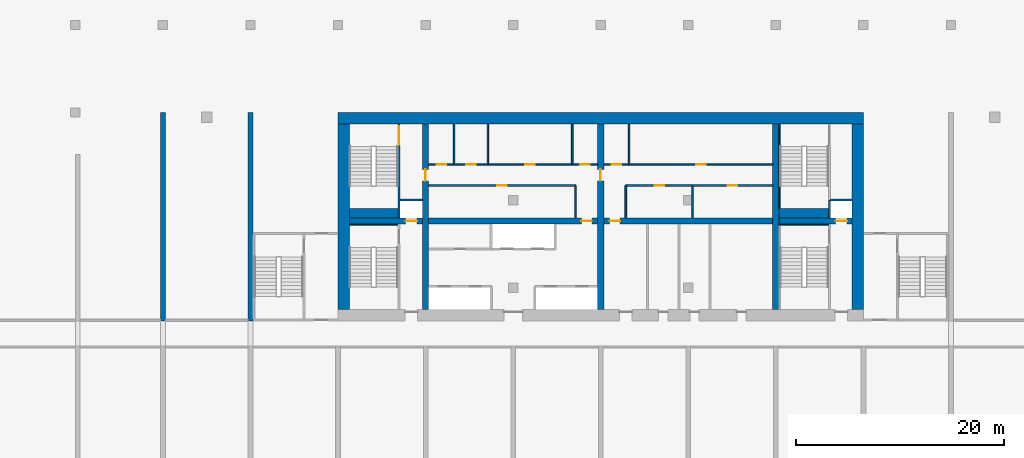
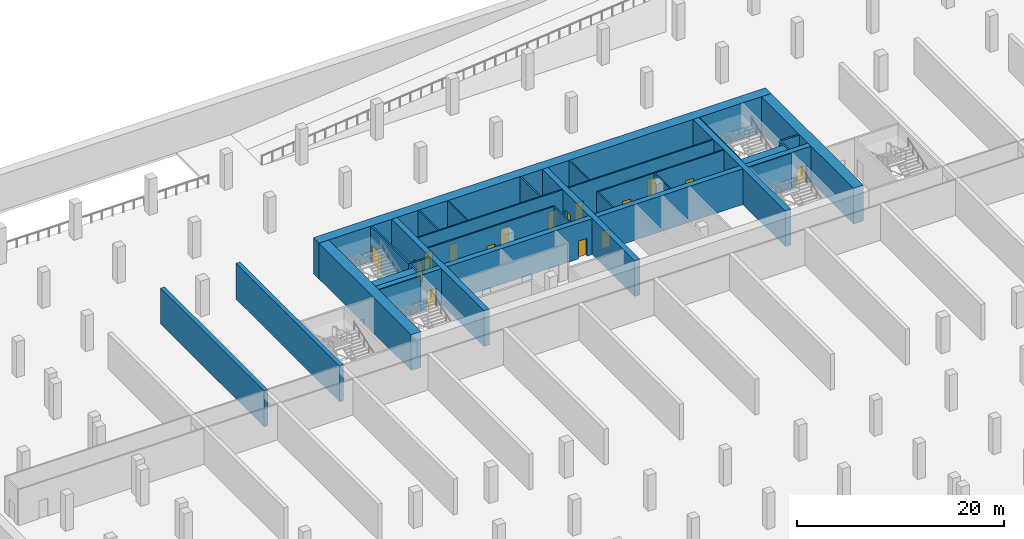
# One storey, part 7 of 13: 33 walls, 16 doors, 16 openings.
"""IFC4 building model written with IfcOpenShell, lengths in metres."""

from ifc_helpers import new_model, si_unit, direction, frame, frame_2d, origin, place, context, subcontext, project, spatial, rectangle, extrude, source, transform, mapped, material, layer, layer_set, type_object, element, fill, save


model = new_model("IFC4")

# Units and contexts
model_context = context("Model", 3, precision=1e-05, world=origin(), true_north=direction((0.0, 1.0)))
body_context = subcontext(model_context, "Body", "Model", "MODEL_VIEW")
ifc_project = project(units=[si_unit("LENGTHUNIT", "METRE"), si_unit("AREAUNIT", "SQUARE_METRE"), si_unit("VOLUMEUNIT", "CUBIC_METRE"), si_unit("PLANEANGLEUNIT", "RADIAN"), si_unit("MASSUNIT", "GRAM", prefix="KILO")], contexts=[model_context])

# Site, building, storey
site_placement = place(None, origin())
site = spatial("IfcSite", under=ifc_project, at=site_placement, CompositionType="ELEMENT")
building_placement = place(site_placement, origin())
building = spatial("IfcBuilding", under=site, at=building_placement, Name="Vanashikhar Sky Hotel", CompositionType="ELEMENT")
storey_placement = place(building_placement, frame((0.0, 0.0, -9.0)))
storey = spatial("IfcBuildingStorey", under=building, at=storey_placement, Name="B2", CompositionType="ELEMENT", Elevation=-9.0)

# Walls
ifc_material_1 = material(Name="Concrete M80", Category="concrete")
ifc_layer_1 = layer(ifc_material_1, 1.10009765625)
ifc_layer_set_1 = layer_set([ifc_layer_1], Name="RC core shell wall 1100 Concrete M80")
wall_type_1 = type_object("IfcWallType", Name="RC core shell wall 1100 Concrete M80", PredefinedType="SHEAR", material=ifc_layer_set_1)
shared_shape_1 = source(origin(), body_context, "Body", "SweptSolid", [
    extrude(rectangle(XDim=50.400146484375, YDim=1.10009765625, at=frame_2d((25.2001953125, 0.0))), origin(), (0.0, 0.0, 1.0), 4.219970703125),
])
wall_1_placement = place(storey_placement, frame((25.199951171875, 41.449951171875, 0.0), z_axis=(0.0, 0.0, 1.0), x_axis=(1.0, 0.0, 0.0)))
element("IfcWall", 1, at=wall_1_placement, inside=storey, type_object=wall_type_1, Name="KW-B2-KN", PredefinedType="SHEAR", context=body_context, shape_type="MappedRepresentation", body=[
    mapped(shared_shape_1, transform((0.0, 0.0, 0.0), scale=1.0)),
])
shared_shape_2 = source(origin(), body_context, "Body", "SweptSolid", [
    extrude(rectangle(XDim=17.7998046875, YDim=1.10009765625, at=frame_2d((8.89990234375, 0.0))), origin(), (0.0, 0.0, 1.0), 4.219970703125),
])
for number, where, z_axis, x_axis, name in (
    (2, (25.75, 23.10009765625, 0.0), (0.0, 0.0, 1.0), (0.0, 1.0, 0.0), "KW-B2-KW"),
    (3, (75.050048828125, 23.10009765625, 0.0), (0.0, 0.0, 1.0), (0.0, 1.0, 0.0), "KW-B2-KE"),
):
    element("IfcWall", number, at=place(storey_placement, frame(where, z_axis=z_axis, x_axis=x_axis)), inside=storey, type_object=wall_type_1, Name=name, PredefinedType="SHEAR", context=body_context, shape_type="MappedRepresentation", body=[
        mapped(shared_shape_2, transform((0.0, 0.0, 0.0), scale=1.0)),
    ])

# Wall, opening, door
ifc_layer_2 = layer(ifc_material_1, 0.60009765625)
ifc_layer_set_2 = layer_set([ifc_layer_2], Name="RC core inner wall 600 Concrete M80")
wall_type_2 = type_object("IfcWallType", Name="RC core inner wall 600 Concrete M80", PredefinedType="SHEAR", material=ifc_layer_set_2)
shared_shape_3 = source(origin(), body_context, "Body", "SweptSolid", [
    extrude(rectangle(XDim=17.7998046875, YDim=0.60009765625, at=frame_2d((8.89990234375, 0.0))), origin(), (0.0, 0.0, 1.0), 4.219970703125),
])
wall_2_placement = place(storey_placement, frame((33.60009765625, 23.10009765625, 0.0), z_axis=(0.0, 0.0, 1.0), x_axis=(0.0, 1.0, 0.0)))
wall_2 = element("IfcWall", 4, at=wall_2_placement, inside=storey, type_object=wall_type_2, Name="KW-B2-KX1", PredefinedType="SHEAR", context=body_context, shape_type="MappedRepresentation", body=[
    mapped(shared_shape_3, transform((0.0, 0.0, 0.0), scale=1.0)),
])
shared_shape_4 = source(origin(), body_context, "Body", "SweptSolid", [
    extrude(rectangle(XDim=1.10009765625, YDim=2.10009765625, at=frame_2d((0.550048828125, 1.050048828125))), frame((0.0, 0.31005859375, 0.0), z_axis=(0.0, -1.0, 0.0), x_axis=(1.0, 0.0, 0.0)), (0.0, 0.0, 1.0), 0.6201171875),
])
opening_1_placement = place(wall_2_placement, frame((12.35009765625, 0.0, 0.0)))
opening_1 = element("IfcOpeningElement", 5, at=opening_1_placement, cuts=wall_2, Name="Opening DC-4-C", PredefinedType="OPENING", context=body_context, shape_type="MappedRepresentation", body=[
    mapped(shared_shape_4, transform((0.0, 0.0, 0.0), scale=1.0)),
])
ifc_material_2 = material(Name="Steel", Category="steel")
door_type_1 = type_object("IfcDoorType", Name="Service door 1100 FD60", OperationType="NOTDEFINED", PredefinedType="DOOR", material=ifc_material_2)
shared_shape_5 = source(origin(), body_context, "Body", "SweptSolid", [
    extrude(rectangle(XDim=1.10009765625, YDim=2.10009765625, at=frame_2d((0.550048828125, 1.050048828125))), frame((0.0, 0.02490234375, 0.0), z_axis=(0.0, -1.0, 0.0), x_axis=(1.0, 0.0, 0.0)), (0.0, 0.0, 1.0), 0.050048828125),
])
door_1_placement = place(opening_1_placement, origin())
door_1 = element("IfcDoor", 6, at=door_1_placement, inside=storey, type_object=door_type_1, Name="Service door 1100 FD60", OperationType="SINGLE_SWING_RIGHT", OverallHeight=2.10009765625, OverallWidth=1.10009765625, PredefinedType="DOOR", context=body_context, shape_type="MappedRepresentation", body=[
    mapped(shared_shape_5, transform((0.0, 0.0, 0.0), scale=1.0)),
])
fill(opening_1, door_1)

wall_3_placement = place(storey_placement, frame((50.39990234375, 23.10009765625, 0.0), z_axis=(0.0, 0.0, 1.0), x_axis=(0.0, 1.0, 0.0)))
wall_3 = element("IfcWall", 7, at=wall_3_placement, inside=storey, type_object=wall_type_2, Name="KW-B2-KX2", PredefinedType="SHEAR", context=body_context, shape_type="MappedRepresentation", body=[
    mapped(shared_shape_3, transform((0.0, 0.0, 0.0), scale=1.0)),
])
opening_2_placement = place(wall_3_placement, frame((12.35009765625, 0.0, 0.0)))
opening_2 = element("IfcOpeningElement", 8, at=opening_2_placement, cuts=wall_3, Name="Opening DC-4-C", PredefinedType="OPENING", context=body_context, shape_type="MappedRepresentation", body=[
    mapped(shared_shape_4, transform((0.0, 0.0, 0.0), scale=1.0)),
])
door_2_placement = place(opening_2_placement, origin())
door_2 = element("IfcDoor", 9, at=door_2_placement, inside=storey, type_object=door_type_1, Name="Service door 1100 FD60", OperationType="SINGLE_SWING_LEFT", OverallHeight=2.10009765625, OverallWidth=1.10009765625, PredefinedType="DOOR", context=body_context, shape_type="MappedRepresentation", body=[
    mapped(shared_shape_5, transform((0.0, 0.0, 0.0), scale=1.0)),
])
fill(opening_2, door_2)

# Wall
wall_4_placement = place(storey_placement, frame((67.199951171875, 23.10009765625, 0.0), z_axis=(0.0, 0.0, 1.0), x_axis=(0.0, 1.0, 0.0)))
element("IfcWall", 10, at=wall_4_placement, inside=storey, type_object=wall_type_2, Name="KW-B2-KX3", PredefinedType="SHEAR", context=body_context, shape_type="MappedRepresentation", body=[
    mapped(shared_shape_3, transform((0.0, 0.0, 0.0), scale=1.0)),
])

# Wall, opening, door
shared_shape_6 = source(origin(), body_context, "Body", "SweptSolid", [
    extrude(rectangle(XDim=7.0, YDim=0.60009765625, at=frame_2d((3.5, 0.0))), origin(), (0.0, 0.0, 1.0), 4.219970703125),
])
wall_5_placement = place(storey_placement, frame((26.300048828125, 31.60009765625, 0.0), z_axis=(0.0, 0.0, 1.0), x_axis=(1.0, 0.0, 0.0)))
wall_5 = element("IfcWall", 11, at=wall_5_placement, inside=storey, type_object=wall_type_2, Name="KW-B2-KY1", PredefinedType="SHEAR", context=body_context, shape_type="MappedRepresentation", body=[
    mapped(shared_shape_6, transform((0.0, 0.0, 0.0), scale=1.0)),
])
opening_3_placement = place(wall_5_placement, frame((5.375, 0.0, 0.0)))
opening_3 = element("IfcOpeningElement", 12, at=opening_3_placement, cuts=wall_5, Name="Opening LD", PredefinedType="OPENING", context=body_context, shape_type="MappedRepresentation", body=[
    mapped(shared_shape_4, transform((0.0, 0.0, 0.0), scale=1.0)),
])
ifc_material_3 = material(Name="Stainless steel", Category="steel")
door_type_2 = type_object("IfcDoorType", Name="Lift landing door 1100", OperationType="NOTDEFINED", PredefinedType="DOOR", material=ifc_material_3)
door_3_placement = place(opening_3_placement, origin())
door_3 = element("IfcDoor", 13, at=door_3_placement, inside=storey, type_object=door_type_2, Name="Lift landing door 1100", OperationType="SLIDING_TO_RIGHT", OverallHeight=2.10009765625, OverallWidth=1.10009765625, PredefinedType="DOOR", context=body_context, shape_type="MappedRepresentation", body=[
    mapped(shared_shape_5, transform((0.0, 0.0, 0.0), scale=1.0)),
])
fill(opening_3, door_3)

wall_6_placement = place(storey_placement, frame((67.5, 31.60009765625, 0.0), z_axis=(0.0, 0.0, 1.0), x_axis=(1.0, 0.0, 0.0)))
wall_6 = element("IfcWall", 14, at=wall_6_placement, inside=storey, type_object=wall_type_2, Name="KW-B2-KY4", PredefinedType="SHEAR", context=body_context, shape_type="MappedRepresentation", body=[
    mapped(shared_shape_6, transform((0.0, 0.0, 0.0), scale=1.0)),
])
opening_4_placement = place(wall_6_placement, frame((5.425048828125, 0.0, 0.0)))
opening_4 = element("IfcOpeningElement", 15, at=opening_4_placement, cuts=wall_6, Name="Opening LD", PredefinedType="OPENING", context=body_context, shape_type="MappedRepresentation", body=[
    mapped(shared_shape_4, transform((0.0, 0.0, 0.0), scale=1.0)),
])
door_4_placement = place(opening_4_placement, origin())
door_4 = element("IfcDoor", 16, at=door_4_placement, inside=storey, type_object=door_type_2, Name="Lift landing door 1100", OperationType="SLIDING_TO_RIGHT", OverallHeight=2.10009765625, OverallWidth=1.10009765625, PredefinedType="DOOR", context=body_context, shape_type="MappedRepresentation", body=[
    mapped(shared_shape_5, transform((0.0, 0.0, 0.0), scale=1.0)),
])
fill(opening_4, door_4)

shared_shape_7 = source(origin(), body_context, "Body", "SweptSolid", [
    extrude(rectangle(XDim=16.2001953125, YDim=0.60009765625, at=frame_2d((8.10009765625, 0.0))), origin(), (0.0, 0.0, 1.0), 4.219970703125),
])
wall_7_placement = place(storey_placement, frame((33.89990234375, 31.60009765625, 0.0), z_axis=(0.0, 0.0, 1.0), x_axis=(1.0, 0.0, 0.0)))
wall_7 = element("IfcWall", 17, at=wall_7_placement, inside=storey, type_object=wall_type_2, Name="KW-B2-KY2", PredefinedType="SHEAR", context=body_context, shape_type="MappedRepresentation", body=[
    mapped(shared_shape_7, transform((0.0, 0.0, 0.0), scale=1.0)),
])
shared_shape_8 = source(origin(), body_context, "Body", "SweptSolid", [
    extrude(rectangle(XDim=1.0, YDim=2.10009765625, at=frame_2d((0.5, 1.050048828125))), frame((0.0, 0.31005859375, 0.0), z_axis=(0.0, -1.0, 0.0), x_axis=(1.0, 0.0, 0.0)), (0.0, 0.0, 1.0), 0.6201171875),
])
opening_5_placement = place(wall_7_placement, frame((14.64990234375, 0.0, 0.0)))
opening_5 = element("IfcOpeningElement", 18, at=opening_5_placement, cuts=wall_7, Name="Opening DC-4", PredefinedType="OPENING", context=body_context, shape_type="MappedRepresentation", body=[
    mapped(shared_shape_8, transform((0.0, 0.0, 0.0), scale=1.0)),
])
door_type_3 = type_object("IfcDoorType", Name="Service door 1000 FD60", OperationType="NOTDEFINED", PredefinedType="DOOR", material=ifc_material_2)
shared_shape_9 = source(origin(), body_context, "Body", "SweptSolid", [
    extrude(rectangle(XDim=1.0, YDim=2.10009765625, at=frame_2d((0.5, 1.050048828125))), frame((0.0, 0.02490234375, 0.0), z_axis=(0.0, -1.0, 0.0), x_axis=(1.0, 0.0, 0.0)), (0.0, 0.0, 1.0), 0.050048828125),
])
door_5_placement = place(opening_5_placement, origin())
door_5 = element("IfcDoor", 19, at=door_5_placement, inside=storey, type_object=door_type_3, Name="Service door 1000 FD60", OperationType="SINGLE_SWING_RIGHT", OverallHeight=2.10009765625, OverallWidth=1.0, PredefinedType="DOOR", context=body_context, shape_type="MappedRepresentation", body=[
    mapped(shared_shape_9, transform((0.0, 0.0, 0.0), scale=1.0)),
])
fill(opening_5, door_5)

shared_shape_10 = source(origin(), body_context, "Body", "SweptSolid", [
    extrude(rectangle(XDim=16.199951171875, YDim=0.60009765625, at=frame_2d((8.10009765625, 0.0))), origin(), (0.0, 0.0, 1.0), 4.219970703125),
])
wall_8_placement = place(storey_placement, frame((50.699951171875, 31.60009765625, 0.0), z_axis=(0.0, 0.0, 1.0), x_axis=(1.0, 0.0, 0.0)))
wall_8 = element("IfcWall", 20, at=wall_8_placement, inside=storey, type_object=wall_type_2, Name="KW-B2-KY3", PredefinedType="SHEAR", context=body_context, shape_type="MappedRepresentation", body=[
    mapped(shared_shape_10, transform((0.0, 0.0, 0.0), scale=1.0)),
])
opening_6_placement = place(wall_8_placement, frame((0.550048828125, 0.0, 0.0)))
opening_6 = element("IfcOpeningElement", 21, at=opening_6_placement, cuts=wall_8, Name="Opening DC-4", PredefinedType="OPENING", context=body_context, shape_type="MappedRepresentation", body=[
    mapped(shared_shape_8, transform((0.0, 0.0, 0.0), scale=1.0)),
])
door_6_placement = place(opening_6_placement, origin())
door_6 = element("IfcDoor", 22, at=door_6_placement, inside=storey, type_object=door_type_3, Name="Service door 1000 FD60", OperationType="SINGLE_SWING_RIGHT", OverallHeight=2.10009765625, OverallWidth=1.0, PredefinedType="DOOR", context=body_context, shape_type="MappedRepresentation", body=[
    mapped(shared_shape_9, transform((0.0, 0.0, 0.0), scale=1.0)),
])
fill(opening_6, door_6)

# Walls
ifc_layer_3 = layer(ifc_material_1, 0.449951171875)
ifc_layer_set_3 = layer_set([ifc_layer_3], Name="RC shear wall 450 Concrete M80")
wall_type_3 = type_object("IfcWallType", Name="RC shear wall 450 Concrete M80", PredefinedType="SHEAR", material=ifc_layer_set_3)
shared_shape_11 = source(origin(), body_context, "Body", "SweptSolid", [
    extrude(rectangle(XDim=20.0, YDim=0.449951171875, at=frame_2d((10.0, 0.0))), origin(), (0.0, 0.0, 1.0), 4.219970703125),
])
for number, where, z_axis, x_axis, name in (
    (23, (8.39990234375, 22.0, 0.0), (0.0, 0.0, 1.0), (0.0, 1.0, 0.0), "CW-B2-XW02-2"),
    (24, (16.800048828125, 22.0, 0.0), (0.0, 0.0, 1.0), (0.0, 1.0, 0.0), "CW-B2-XW03-2"),
):
    element("IfcWall", number, at=place(storey_placement, frame(where, z_axis=z_axis, x_axis=x_axis)), inside=storey, type_object=wall_type_3, Name=name, PredefinedType="SHEAR", context=body_context, shape_type="MappedRepresentation", body=[
        mapped(shared_shape_11, transform((0.0, 0.0, 0.0), scale=1.0)),
    ])
ifc_material_4 = material(Name="Gypsum board partition")
ifc_layer_4 = layer(ifc_material_4, 0.14990234375)
ifc_layer_set_4 = layer_set([ifc_layer_4], Name="Service partition 150")
wall_type_4 = type_object("IfcWallType", Name="Service partition 150", PredefinedType="PARTITIONING", material=ifc_layer_set_4)
shared_shape_12 = source(origin(), body_context, "Body", "SweptSolid", [
    extrude(rectangle(XDim=3.10009765625, YDim=0.14990234375, at=frame_2d((1.550048828125, 0.0))), origin(), (0.0, 0.0, 1.0), 4.219970703125),
])
for number, where, z_axis, x_axis, name in (
    (25, (48.0, 31.89990234375, 0.0), (0.0, 0.0, 1.0), (0.0, 1.0, 0.0), "Service partition 150"),
    (26, (52.800048828125, 31.89990234375, 0.0), (0.0, 0.0, 1.0), (0.0, 1.0, 0.0), "Service partition 150"),
    (27, (59.18603515625, 31.89990234375, 0.0), (0.0, 0.0, 1.0), (0.0, 1.0, 0.0), "Service partition 150"),
):
    element("IfcWall", number, at=place(storey_placement, frame(where, z_axis=z_axis, x_axis=x_axis)), inside=storey, type_object=wall_type_4, Name=name, PredefinedType="PARTITIONING", context=body_context, shape_type="MappedRepresentation", body=[
        mapped(shared_shape_12, transform((0.0, 0.0, 0.0), scale=1.0)),
    ])

# Wall, opening, door
shared_shape_13 = source(origin(), body_context, "Body", "SweptSolid", [
    extrude(rectangle(XDim=14.10009765625, YDim=0.14990234375, at=frame_2d((7.050048828125, 0.0))), origin(), (0.0, 0.0, 1.0), 4.219970703125),
])
wall_9_placement = place(storey_placement, frame((33.89990234375, 35.0, 0.0), z_axis=(0.0, 0.0, 1.0), x_axis=(1.0, 0.0, 0.0)))
wall_9 = element("IfcWall", 28, at=wall_9_placement, inside=storey, type_object=wall_type_4, Name="Service partition 150", PredefinedType="PARTITIONING", context=body_context, shape_type="MappedRepresentation", body=[
    mapped(shared_shape_13, transform((0.0, 0.0, 0.0), scale=1.0)),
])
shared_shape_14 = source(origin(), body_context, "Body", "SweptSolid", [
    extrude(rectangle(XDim=0.89990234375, YDim=2.10009765625, at=frame_2d((0.449951171875, 1.050048828125))), frame((0.0, 0.0849609375, 0.0), z_axis=(0.0, -1.0, 0.0), x_axis=(1.0, 0.0, 0.0)), (0.0, 0.0, 1.0), 0.169921875),
])
opening_7_placement = place(wall_9_placement, frame((6.56201171875, 0.0, 0.0)))
opening_7 = element("IfcOpeningElement", 29, at=opening_7_placement, cuts=wall_9, Name="Opening DC-4-A", PredefinedType="OPENING", context=body_context, shape_type="MappedRepresentation", body=[
    mapped(shared_shape_14, transform((0.0, 0.0, 0.0), scale=1.0)),
])
door_type_4 = type_object("IfcDoorType", Name="Service door 900 FD60", OperationType="NOTDEFINED", PredefinedType="DOOR", material=ifc_material_2)
shared_shape_15 = source(origin(), body_context, "Body", "SweptSolid", [
    extrude(rectangle(XDim=0.89990234375, YDim=2.10009765625, at=frame_2d((0.449951171875, 1.050048828125))), frame((0.0, 0.02490234375, 0.0), z_axis=(0.0, -1.0, 0.0), x_axis=(1.0, 0.0, 0.0)), (0.0, 0.0, 1.0), 0.050048828125),
])
door_7_placement = place(opening_7_placement, origin())
door_7 = element("IfcDoor", 30, at=door_7_placement, inside=storey, type_object=door_type_4, Name="Service door 900 FD60", OperationType="SINGLE_SWING_LEFT", OverallHeight=2.10009765625, OverallWidth=0.89990234375, PredefinedType="DOOR", context=body_context, shape_type="MappedRepresentation", body=[
    mapped(shared_shape_15, transform((0.0, 0.0, 0.0), scale=1.0)),
])
fill(opening_7, door_7)

# Wall, openings, doors
shared_shape_16 = source(origin(), body_context, "Body", "SweptSolid", [
    extrude(rectangle(XDim=16.2001953125, YDim=0.14990234375, at=frame_2d((8.10009765625, 0.0))), origin(), (0.0, 0.0, 1.0), 4.219970703125),
])
wall_10_placement = place(storey_placement, frame((33.89990234375, 37.0, 0.0), z_axis=(0.0, 0.0, 1.0), x_axis=(1.0, 0.0, 0.0)))
wall_10 = element("IfcWall", 31, at=wall_10_placement, inside=storey, type_object=wall_type_4, Name="Service partition 150", PredefinedType="PARTITIONING", context=body_context, shape_type="MappedRepresentation", body=[
    mapped(shared_shape_16, transform((0.0, 0.0, 0.0), scale=1.0)),
])
opening_8_placement = place(wall_10_placement, frame((0.764892578125, 0.0, 0.0)))
opening_8 = element("IfcOpeningElement", 32, at=opening_8_placement, cuts=wall_10, Name="Opening DC-4-A", PredefinedType="OPENING", context=body_context, shape_type="MappedRepresentation", body=[
    mapped(shared_shape_14, transform((0.0, 0.0, 0.0), scale=1.0)),
])
opening_9_placement = place(wall_10_placement, frame((3.60009765625, 0.0, 0.0)))
opening_9 = element("IfcOpeningElement", 33, at=opening_9_placement, cuts=wall_10, Name="Opening DC-4-A", PredefinedType="OPENING", context=body_context, shape_type="MappedRepresentation", body=[
    mapped(shared_shape_14, transform((0.0, 0.0, 0.0), scale=1.0)),
])
opening_10_placement = place(wall_10_placement, frame((9.27001953125, 0.0, 0.0)))
opening_10 = element("IfcOpeningElement", 34, at=opening_10_placement, cuts=wall_10, Name="Opening DC-4-A", PredefinedType="OPENING", context=body_context, shape_type="MappedRepresentation", body=[
    mapped(shared_shape_14, transform((0.0, 0.0, 0.0), scale=1.0)),
])
opening_11_placement = place(wall_10_placement, frame((14.534912109375, 0.0, 0.0)))
opening_11 = element("IfcOpeningElement", 35, at=opening_11_placement, cuts=wall_10, Name="Opening DC-4-A", PredefinedType="OPENING", context=body_context, shape_type="MappedRepresentation", body=[
    mapped(shared_shape_14, transform((0.0, 0.0, 0.0), scale=1.0)),
])
door_8_placement = place(opening_8_placement, origin())
door_8 = element("IfcDoor", 36, at=door_8_placement, inside=storey, type_object=door_type_4, Name="Service door 900 FD60", OperationType="SINGLE_SWING_RIGHT", OverallHeight=2.10009765625, OverallWidth=0.89990234375, PredefinedType="DOOR", context=body_context, shape_type="MappedRepresentation", body=[
    mapped(shared_shape_15, transform((0.0, 0.0, 0.0), scale=1.0)),
])
fill(opening_8, door_8)
door_9_placement = place(opening_9_placement, origin())
door_9 = element("IfcDoor", 37, at=door_9_placement, inside=storey, type_object=door_type_4, Name="Service door 900 FD60", OperationType="SINGLE_SWING_RIGHT", OverallHeight=2.10009765625, OverallWidth=0.89990234375, PredefinedType="DOOR", context=body_context, shape_type="MappedRepresentation", body=[
    mapped(shared_shape_15, transform((0.0, 0.0, 0.0), scale=1.0)),
])
fill(opening_9, door_9)
door_10_placement = place(opening_10_placement, origin())
door_10 = element("IfcDoor", 38, at=door_10_placement, inside=storey, type_object=door_type_4, Name="Service door 900 FD60", OperationType="SINGLE_SWING_LEFT", OverallHeight=2.10009765625, OverallWidth=0.89990234375, PredefinedType="DOOR", context=body_context, shape_type="MappedRepresentation", body=[
    mapped(shared_shape_15, transform((0.0, 0.0, 0.0), scale=1.0)),
])
fill(opening_10, door_10)
door_11_placement = place(opening_11_placement, origin())
door_11 = element("IfcDoor", 39, at=door_11_placement, inside=storey, type_object=door_type_4, Name="Service door 900 FD60", OperationType="SINGLE_SWING_LEFT", OverallHeight=2.10009765625, OverallWidth=0.89990234375, PredefinedType="DOOR", context=body_context, shape_type="MappedRepresentation", body=[
    mapped(shared_shape_15, transform((0.0, 0.0, 0.0), scale=1.0)),
])
fill(opening_11, door_11)

# Walls
shared_shape_17 = source(origin(), body_context, "Body", "SweptSolid", [
    extrude(rectangle(XDim=3.89990234375, YDim=0.14990234375, at=frame_2d((1.949951171875, 0.0))), origin(), (0.0, 0.0, 1.0), 4.219970703125),
])
for number, where, z_axis, x_axis, name in (
    (40, (36.330078125, 37.0, 0.0), (0.0, 0.0, 1.0), (0.0, 1.0, 0.0), "Service partition 150"),
    (41, (39.570068359375, 37.0, 0.0), (0.0, 0.0, 1.0), (0.0, 1.0, 0.0), "Service partition 150"),
    (42, (47.669921875, 37.0, 0.0), (0.0, 0.0, 1.0), (0.0, 1.0, 0.0), "Service partition 150"),
    (43, (53.1298828125, 37.0, 0.0), (0.0, 0.0, 1.0), (0.0, 1.0, 0.0), "Service partition 150"),
):
    element("IfcWall", number, at=place(storey_placement, frame(where, z_axis=z_axis, x_axis=x_axis)), inside=storey, type_object=wall_type_4, Name=name, PredefinedType="PARTITIONING", context=body_context, shape_type="MappedRepresentation", body=[
        mapped(shared_shape_17, transform((0.0, 0.0, 0.0), scale=1.0)),
    ])

# Wall, openings, doors
shared_shape_18 = source(origin(), body_context, "Body", "SweptSolid", [
    extrude(rectangle(XDim=14.099853515625, YDim=0.14990234375, at=frame_2d((7.0498046875, 0.0))), origin(), (0.0, 0.0, 1.0), 4.219970703125),
])
wall_11_placement = place(storey_placement, frame((66.89990234375, 35.0, 0.0), z_axis=(0.0, 0.0, 1.0), x_axis=(-1.0, 0.0, 0.0)))
wall_11 = element("IfcWall", 44, at=wall_11_placement, inside=storey, type_object=wall_type_4, Name="Service partition 150", PredefinedType="PARTITIONING", context=body_context, shape_type="MappedRepresentation", body=[
    mapped(shared_shape_18, transform((0.0, 0.0, 0.0), scale=1.0)),
])
opening_12_placement = place(wall_11_placement, frame((3.406982421875, 0.0, 0.0)))
opening_12 = element("IfcOpeningElement", 45, at=opening_12_placement, cuts=wall_11, Name="Opening DC-4-A", PredefinedType="OPENING", context=body_context, shape_type="MappedRepresentation", body=[
    mapped(shared_shape_14, transform((0.0, 0.0, 0.0), scale=1.0)),
])
opening_13_placement = place(wall_11_placement, frame((10.4189453125, 0.0, 0.0)))
opening_13 = element("IfcOpeningElement", 46, at=opening_13_placement, cuts=wall_11, Name="Opening DC-4-A", PredefinedType="OPENING", context=body_context, shape_type="MappedRepresentation", body=[
    mapped(shared_shape_14, transform((0.0, 0.0, 0.0), scale=1.0)),
])
door_12_placement = place(opening_12_placement, origin())
door_12 = element("IfcDoor", 47, at=door_12_placement, inside=storey, type_object=door_type_4, Name="Service door 900 FD60", OperationType="SINGLE_SWING_RIGHT", OverallHeight=2.10009765625, OverallWidth=0.89990234375, PredefinedType="DOOR", context=body_context, shape_type="MappedRepresentation", body=[
    mapped(shared_shape_15, transform((0.0, 0.0, 0.0), scale=1.0)),
])
fill(opening_12, door_12)
door_13_placement = place(opening_13_placement, origin())
door_13 = element("IfcDoor", 48, at=door_13_placement, inside=storey, type_object=door_type_4, Name="Service door 900 FD60", OperationType="SINGLE_SWING_LEFT", OverallHeight=2.10009765625, OverallWidth=0.89990234375, PredefinedType="DOOR", context=body_context, shape_type="MappedRepresentation", body=[
    mapped(shared_shape_15, transform((0.0, 0.0, 0.0), scale=1.0)),
])
fill(opening_13, door_13)

shared_shape_19 = source(origin(), body_context, "Body", "SweptSolid", [
    extrude(rectangle(XDim=16.199951171875, YDim=0.14990234375, at=frame_2d((8.10009765625, 0.0))), origin(), (0.0, 0.0, 1.0), 4.219970703125),
])
wall_12_placement = place(storey_placement, frame((66.89990234375, 37.0, 0.0), z_axis=(0.0, 0.0, 1.0), x_axis=(-1.0, 0.0, 0.0)))
wall_12 = element("IfcWall", 49, at=wall_12_placement, inside=storey, type_object=wall_type_4, Name="Service partition 150", PredefinedType="PARTITIONING", context=body_context, shape_type="MappedRepresentation", body=[
    mapped(shared_shape_19, transform((0.0, 0.0, 0.0), scale=1.0)),
])
opening_14_placement = place(wall_12_placement, frame((6.43505859375, 0.0, 0.0)))
opening_14 = element("IfcOpeningElement", 50, at=opening_14_placement, cuts=wall_12, Name="Opening DC-4-A", PredefinedType="OPENING", context=body_context, shape_type="MappedRepresentation", body=[
    mapped(shared_shape_14, transform((0.0, 0.0, 0.0), scale=1.0)),
])
opening_15_placement = place(wall_12_placement, frame((14.534912109375, 0.0, 0.0)))
opening_15 = element("IfcOpeningElement", 51, at=opening_15_placement, cuts=wall_12, Name="Opening DC-4-A", PredefinedType="OPENING", context=body_context, shape_type="MappedRepresentation", body=[
    mapped(shared_shape_14, transform((0.0, 0.0, 0.0), scale=1.0)),
])
door_14_placement = place(opening_14_placement, origin())
door_14 = element("IfcDoor", 52, at=door_14_placement, inside=storey, type_object=door_type_4, Name="Service door 900 FD60", OperationType="SINGLE_SWING_RIGHT", OverallHeight=2.10009765625, OverallWidth=0.89990234375, PredefinedType="DOOR", context=body_context, shape_type="MappedRepresentation", body=[
    mapped(shared_shape_15, transform((0.0, 0.0, 0.0), scale=1.0)),
])
fill(opening_14, door_14)
door_15_placement = place(opening_15_placement, origin())
door_15 = element("IfcDoor", 53, at=door_15_placement, inside=storey, type_object=door_type_4, Name="Service door 900 FD60", OperationType="SINGLE_SWING_RIGHT", OverallHeight=2.10009765625, OverallWidth=0.89990234375, PredefinedType="DOOR", context=body_context, shape_type="MappedRepresentation", body=[
    mapped(shared_shape_15, transform((0.0, 0.0, 0.0), scale=1.0)),
])
fill(opening_15, door_15)

# Walls
ifc_material_5 = material(Name="Concrete M40", Category="concrete")
ifc_layer_5 = layer(ifc_material_5, 0.199951171875)
ifc_layer_set_5 = layer_set([ifc_layer_5], Name="Shaft wall 200")
wall_type_5 = type_object("IfcWallType", Name="Shaft wall 200", PredefinedType="SOLIDWALL", material=ifc_layer_set_5)
shared_shape_20 = source(origin(), body_context, "Body", "SweptSolid", [
    extrude(rectangle(XDim=1.7001953125, YDim=0.199951171875, at=frame_2d((0.85009765625, 0.0))), origin(), (0.0, 0.0, 1.0), 4.219970703125),
])
for number, where, z_axis, x_axis, name in (
    (54, (31.050048828125, 31.89990234375, 0.0), (0.0, 0.0, 1.0), (0.0, 1.0, 0.0), "Shaft wall 200"),
    (55, (72.35009765625, 31.89990234375, 0.0), (0.0, 0.0, 1.0), (0.0, 1.0, 0.0), "Shaft wall 200"),
):
    element("IfcWall", number, at=place(storey_placement, frame(where, z_axis=z_axis, x_axis=x_axis)), inside=storey, type_object=wall_type_5, Name=name, PredefinedType="SOLIDWALL", context=body_context, shape_type="MappedRepresentation", body=[
        mapped(shared_shape_20, transform((0.0, 0.0, 0.0), scale=1.0)),
    ])
shared_shape_21 = source(origin(), body_context, "Body", "SweptSolid", [
    extrude(rectangle(XDim=2.150146484375, YDim=0.199951171875, at=frame_2d((1.0751953125, 0.0))), origin(), (0.0, 0.0, 1.0), 4.219970703125),
])
wall_13_placement = place(storey_placement, frame((31.14990234375, 33.60009765625, 0.0), z_axis=(0.0, 0.0, 1.0), x_axis=(1.0, 0.0, 0.0)))
element("IfcWall", 56, at=wall_13_placement, inside=storey, type_object=wall_type_5, Name="Shaft wall 200", PredefinedType="SOLIDWALL", context=body_context, shape_type="MappedRepresentation", body=[
    mapped(shared_shape_21, transform((0.0, 0.0, 0.0), scale=1.0)),
])
shared_shape_22 = source(origin(), body_context, "Body", "SweptSolid", [
    extrude(rectangle(XDim=2.050048828125, YDim=0.199951171875, at=frame_2d((1.02490234375, 0.0))), origin(), (0.0, 0.0, 1.0), 4.219970703125),
])
wall_14_placement = place(storey_placement, frame((72.449951171875, 33.60009765625, 0.0), z_axis=(0.0, 0.0, 1.0), x_axis=(1.0, 0.0, 0.0)))
element("IfcWall", 57, at=wall_14_placement, inside=storey, type_object=wall_type_5, Name="Shaft wall 200", PredefinedType="SOLIDWALL", context=body_context, shape_type="MappedRepresentation", body=[
    mapped(shared_shape_22, transform((0.0, 0.0, 0.0), scale=1.0)),
])

# Wall, opening, door
ifc_material_6 = material(Name="Concrete M50", Category="concrete")
ifc_layer_6 = layer(ifc_material_6, 0.199951171875)
ifc_layer_set_6 = layer_set([ifc_layer_6], Name="Stair wall 200")
wall_type_6 = type_object("IfcWallType", Name="Stair wall 200", PredefinedType="SOLIDWALL", material=ifc_layer_set_6)
shared_shape_23 = source(origin(), body_context, "Body", "SweptSolid", [
    extrude(rectangle(XDim=7.2998046875, YDim=0.199951171875, at=frame_2d((3.64990234375, 0.0))), origin(), (0.0, 0.0, 1.0), 4.219970703125),
])
wall_15_placement = place(storey_placement, frame((31.050048828125, 33.60009765625, 0.0), z_axis=(0.0, 0.0, 1.0), x_axis=(0.0, 1.0, 0.0)))
wall_15 = element("IfcWall", 58, at=wall_15_placement, inside=storey, type_object=wall_type_6, Name="Stair wall 200", PredefinedType="SOLIDWALL", context=body_context, shape_type="MappedRepresentation", body=[
    mapped(shared_shape_23, transform((0.0, 0.0, 0.0), scale=1.0)),
])
shared_shape_24 = source(origin(), body_context, "Body", "SweptSolid", [
    extrude(rectangle(XDim=1.800048828125, YDim=2.10009765625, at=frame_2d((0.89990234375, 1.050048828125))), frame((0.0, 0.10986328125, 0.0), z_axis=(0.0, -1.0, 0.0), x_axis=(1.0, 0.0, 0.0)), (0.0, 0.0, 1.0), 0.219970703125),
])
opening_16_placement = place(wall_15_placement, frame((5.300048828125, 0.0, 0.0)))
opening_16 = element("IfcOpeningElement", 59, at=opening_16_placement, cuts=wall_15, Name="Opening DC-1-A", PredefinedType="OPENING", context=body_context, shape_type="MappedRepresentation", body=[
    mapped(shared_shape_24, transform((0.0, 0.0, 0.0), scale=1.0)),
])
door_type_5 = type_object("IfcDoorType", Name="Stair door 1800 FD120", OperationType="NOTDEFINED", PredefinedType="DOOR", material=ifc_material_2)
shared_shape_25 = source(origin(), body_context, "Body", "SweptSolid", [
    extrude(rectangle(XDim=1.800048828125, YDim=2.10009765625, at=frame_2d((0.89990234375, 1.050048828125))), frame((0.0, 0.02490234375, 0.0), z_axis=(0.0, -1.0, 0.0), x_axis=(1.0, 0.0, 0.0)), (0.0, 0.0, 1.0), 0.050048828125),
])
door_16_placement = place(opening_16_placement, origin())
door_16 = element("IfcDoor", 60, at=door_16_placement, inside=storey, type_object=door_type_5, Name="Stair door 1800 FD120", OperationType="SINGLE_SWING_LEFT", OverallHeight=2.10009765625, OverallWidth=1.800048828125, PredefinedType="DOOR", context=body_context, shape_type="MappedRepresentation", body=[
    mapped(shared_shape_25, transform((0.0, 0.0, 0.0), scale=1.0)),
])
fill(opening_16, door_16)

# Walls
ifc_layer_7 = layer(ifc_material_6, 0.10009765625)
ifc_layer_set_7 = layer_set([ifc_layer_7], Name="Stair infill wall 100")
wall_type_7 = type_object("IfcWallType", Name="Stair infill wall 100", PredefinedType="SOLIDWALL", material=ifc_layer_set_7)
shared_shape_26 = source(origin(), body_context, "Body", "SweptSolid", [
    extrude(rectangle(XDim=4.64990234375, YDim=0.10009765625, at=frame_2d((2.324951171875, 0.0))), origin(), (0.0, 0.0, 1.0), 4.219970703125),
])
wall_16_placement = place(storey_placement, frame((26.300048828125, 31.25, 0.0), z_axis=(0.0, 0.0, 1.0), x_axis=(1.0, 0.0, 0.0)))
element("IfcWall", 61, at=wall_16_placement, inside=storey, type_object=wall_type_7, Name="Stair infill wall 100", PredefinedType="SOLIDWALL", context=body_context, shape_type="MappedRepresentation", body=[
    mapped(shared_shape_26, transform((0.0, 0.0, 0.0), scale=1.0)),
])
shared_shape_27 = source(origin(), body_context, "Body", "SweptSolid", [
    extrude(rectangle(XDim=4.75, YDim=0.10009765625, at=frame_2d((2.375, 0.0))), origin(), (0.0, 0.0, 1.0), 4.219970703125),
])
wall_17_placement = place(storey_placement, frame((67.5, 31.25, 0.0), z_axis=(0.0, 0.0, 1.0), x_axis=(1.0, 0.0, 0.0)))
element("IfcWall", 62, at=wall_17_placement, inside=storey, type_object=wall_type_7, Name="Stair infill wall 100", PredefinedType="SOLIDWALL", context=body_context, shape_type="MappedRepresentation", body=[
    mapped(shared_shape_27, transform((0.0, 0.0, 0.0), scale=1.0)),
])
shared_shape_28 = source(origin(), body_context, "Body", "SweptSolid", [
    extrude(rectangle(XDim=8.099853515625, YDim=0.10009765625, at=frame_2d((4.0498046875, 0.0))), origin(), (0.0, 0.0, 1.0), 4.219970703125),
])
wall_18_placement = place(storey_placement, frame((67.550048828125, 32.800048828125, 0.0), z_axis=(0.0, 0.0, 1.0), x_axis=(0.0, 1.0, 0.0)))
element("IfcWall", 63, at=wall_18_placement, inside=storey, type_object=wall_type_7, Name="Stair infill wall 100", PredefinedType="SOLIDWALL", context=body_context, shape_type="MappedRepresentation", body=[
    mapped(shared_shape_28, transform((0.0, 0.0, 0.0), scale=1.0)),
])
ifc_layer_8 = layer(ifc_material_6, 0.89990234375)
ifc_layer_set_8 = layer_set([ifc_layer_8], Name="Stair infill wall 900")
wall_type_8 = type_object("IfcWallType", Name="Stair infill wall 900", PredefinedType="SOLIDWALL", material=ifc_layer_set_8)
shared_shape_29 = source(origin(), body_context, "Body", "SweptSolid", [
    extrude(rectangle(XDim=4.64990234375, YDim=0.89990234375, at=frame_2d((2.324951171875, 0.0))), origin(), (0.0, 0.0, 1.0), 4.219970703125),
])
wall_19_placement = place(storey_placement, frame((26.300048828125, 32.35009765625, 0.0), z_axis=(0.0, 0.0, 1.0), x_axis=(1.0, 0.0, 0.0)))
element("IfcWall", 64, at=wall_19_placement, inside=storey, type_object=wall_type_8, Name="Stair infill wall 900", PredefinedType="SOLIDWALL", context=body_context, shape_type="MappedRepresentation", body=[
    mapped(shared_shape_29, transform((0.0, 0.0, 0.0), scale=1.0)),
])
shared_shape_30 = source(origin(), body_context, "Body", "SweptSolid", [
    extrude(rectangle(XDim=4.75, YDim=0.89990234375, at=frame_2d((2.375, 0.0))), origin(), (0.0, 0.0, 1.0), 4.219970703125),
])
wall_20_placement = place(storey_placement, frame((67.5, 32.35009765625, 0.0), z_axis=(0.0, 0.0, 1.0), x_axis=(1.0, 0.0, 0.0)))
element("IfcWall", 65, at=wall_20_placement, inside=storey, type_object=wall_type_8, Name="Stair infill wall 900", PredefinedType="SOLIDWALL", context=body_context, shape_type="MappedRepresentation", body=[
    mapped(shared_shape_30, transform((0.0, 0.0, 0.0), scale=1.0)),
])

save(model, "model.ifc")
